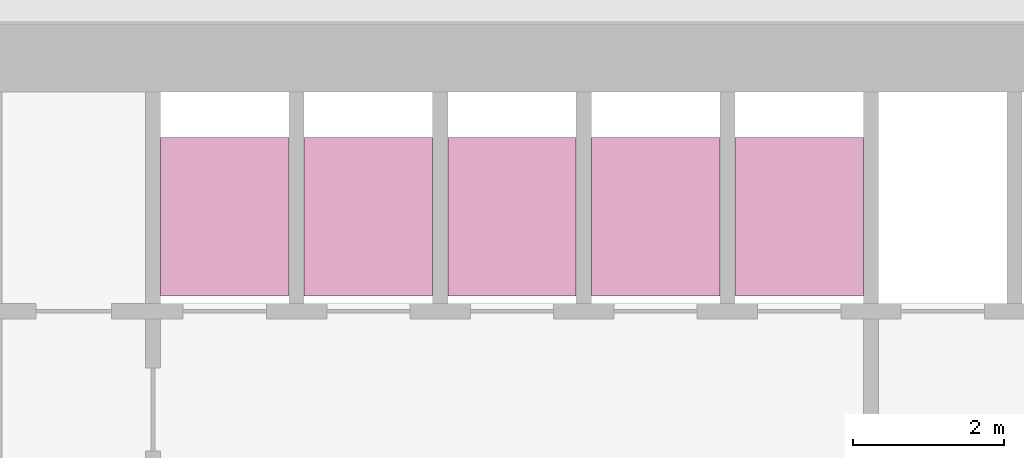
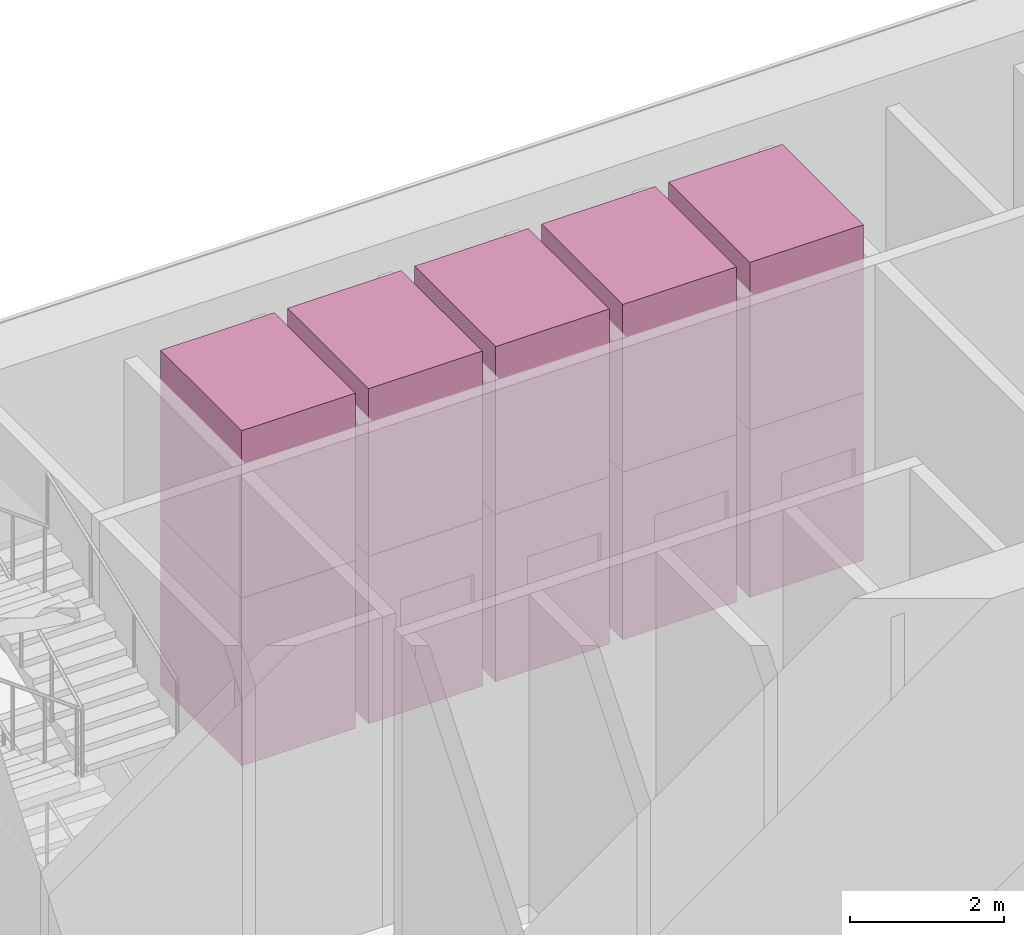
# One storey, part 15 of 15: 10 transport elements.
"""IFC4 building model written with IfcOpenShell, lengths in metres."""

from ifc_helpers import new_model, si_unit, direction, frame, origin, origin_2d, place, context, subcontext, project, spatial, rectangle, extrude, material, type_object, element, save


model = new_model("IFC4")

# Units and contexts
model_context = context("Model", 3, precision=1e-05, world=origin(), true_north=direction((0.0, 1.0)))
body_context = subcontext(model_context, "Body", "Model", "MODEL_VIEW")
ifc_project = project(units=[si_unit("LENGTHUNIT", "METRE"), si_unit("AREAUNIT", "SQUARE_METRE"), si_unit("VOLUMEUNIT", "CUBIC_METRE"), si_unit("PLANEANGLEUNIT", "RADIAN"), si_unit("MASSUNIT", "GRAM", prefix="KILO")], contexts=[model_context])

# Site, building, storey
site_placement = place(None, origin())
site = spatial("IfcSite", under=ifc_project, at=site_placement, CompositionType="ELEMENT")
building_placement = place(site_placement, origin())
building = spatial("IfcBuilding", under=site, at=building_placement, Name="Altiplano Prism Tower", CompositionType="ELEMENT")
storey_placement = place(building_placement, frame((0.0, 0.0, 95.39990234375)))
storey = spatial("IfcBuildingStorey", under=building, at=storey_placement, Name="L24", CompositionType="ELEMENT", Elevation=95.39990234375)

# Transport elements
ifc_material = material(Name="Stainless steel lift car", Category="steel")
transport_element_type = type_object("IfcTransportElementType", Name="Passenger lift car 1600 x 2100", PredefinedType="ELEVATOR", material=ifc_material)
for number, where, z_axis, x_axis, name in (
    (1, (79.050048828125, 101.75, 0.050048828125), (0.0, 0.0, 1.0), (1.0, 0.0, 0.0), "Low Zone Passenger Lift 1"),
    (2, (79.050048828125, 101.75, 2.7001953125), (0.0, 0.0, 1.0), (1.0, 0.0, 0.0), "Low Zone Passenger Lift 1"),
    (3, (80.949951171875, 101.75, 0.050048828125), (0.0, 0.0, 1.0), (1.0, 0.0, 0.0), "Low Zone Passenger Lift 2"),
    (4, (80.949951171875, 101.75, 2.7001953125), (0.0, 0.0, 1.0), (1.0, 0.0, 0.0), "Low Zone Passenger Lift 2"),
    (5, (82.85009765625, 101.75, 0.050048828125), (0.0, 0.0, 1.0), (1.0, 0.0, 0.0), "Low Zone Passenger Lift 3"),
    (6, (82.85009765625, 101.75, 2.7001953125), (0.0, 0.0, 1.0), (1.0, 0.0, 0.0), "Low Zone Passenger Lift 3"),
    (7, (84.75, 101.75, 0.050048828125), (0.0, 0.0, 1.0), (1.0, 0.0, 0.0), "Low Zone Passenger Lift 4"),
    (8, (84.75, 101.75, 2.7001953125), (0.0, 0.0, 1.0), (1.0, 0.0, 0.0), "Low Zone Passenger Lift 4"),
    (9, (86.64990234375, 101.75, 0.050048828125), (0.0, 0.0, 1.0), (1.0, 0.0, 0.0), "Low Zone Passenger Lift 5"),
    (10, (86.64990234375, 101.75, 2.7001953125), (0.0, 0.0, 1.0), (1.0, 0.0, 0.0), "Low Zone Passenger Lift 5"),
):
    element("IfcTransportElement", number, at=place(storey_placement, frame(where, z_axis=z_axis, x_axis=x_axis)), inside=storey, type_object=transport_element_type, Name=name, PredefinedType="ELEVATOR", context=body_context, shape_type="SweptSolid", body=[
        extrude(rectangle(XDim=1.699951171875, YDim=2.10009765625, at=origin_2d()), origin(), (0.0, 0.0, 1.0), 2.64990234375),
    ])

save(model, "model.ifc")
